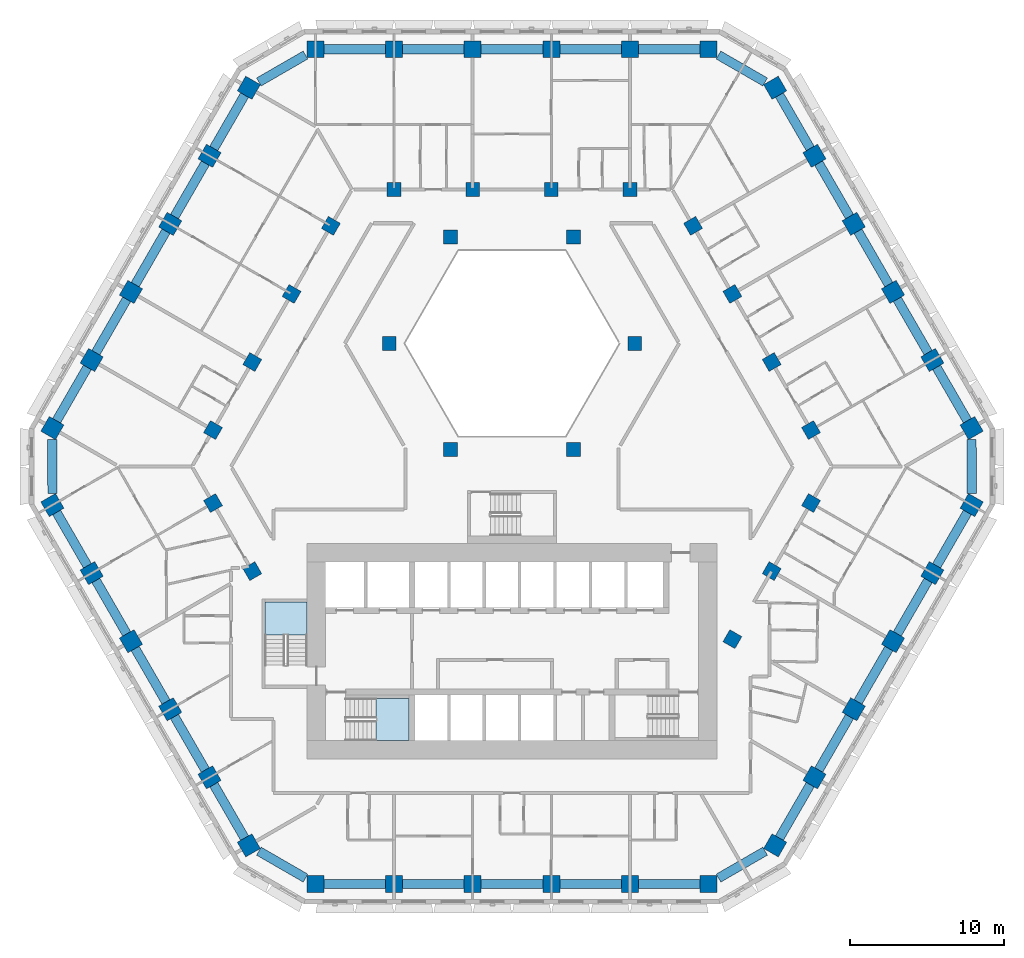
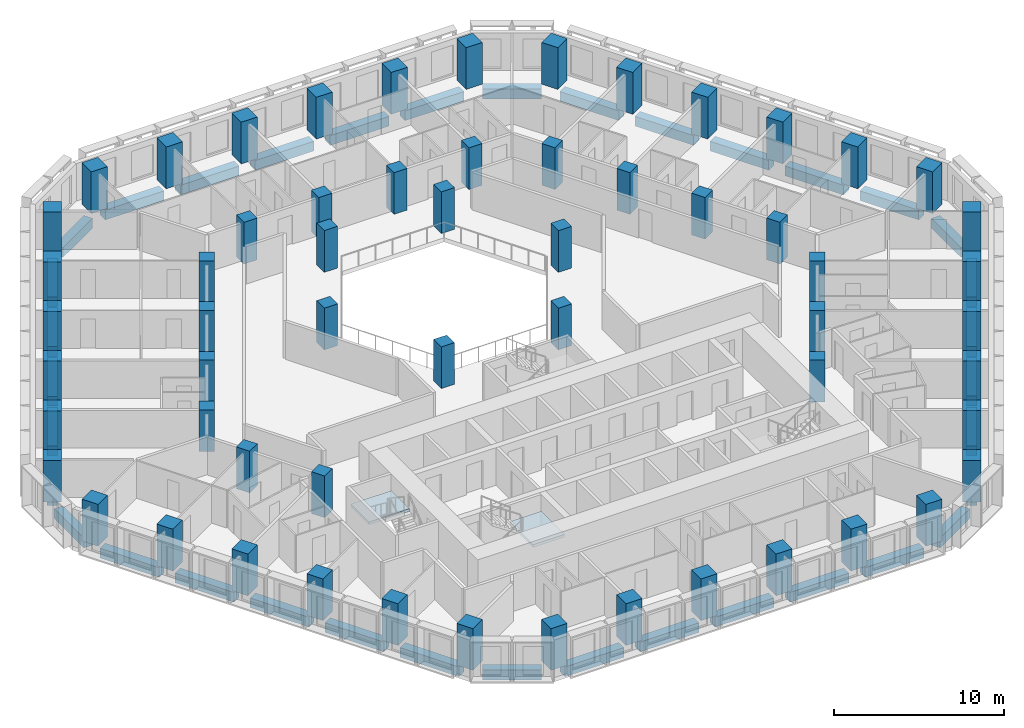
# One storey, part 1 of 21: 59 columns, 36 beams, 2 slabs, 2 elements without a shape of their own.
"""IFC4 building model written with IfcOpenShell, lengths in metres."""

from ifc_helpers import new_model, si_unit, direction, frame, origin, origin_2d, place, context, subcontext, project, spatial, polyline, rectangle, outline, extrude, material, layer, layer_set, material_profile, profile_set, type_object, element, aggregate, save


model = new_model("IFC4")

# Units and contexts
model_context = context("Model", 3, precision=1e-05, world=origin(), true_north=direction((0.0, 1.0)))
body_context = subcontext(model_context, "Body", "Model", "MODEL_VIEW")
ifc_project = project(units=[si_unit("LENGTHUNIT", "METRE"), si_unit("AREAUNIT", "SQUARE_METRE"), si_unit("VOLUMEUNIT", "CUBIC_METRE"), si_unit("PLANEANGLEUNIT", "RADIAN"), si_unit("MASSUNIT", "GRAM", prefix="KILO")], contexts=[model_context])

# Site, building, storey
site_placement = place(None, origin())
site = spatial("IfcSite", under=ifc_project, at=site_placement, CompositionType="ELEMENT")
building_placement = place(site_placement, origin())
building = spatial("IfcBuilding", under=site, at=building_placement, Name="Beryl Residences", CompositionType="ELEMENT")
storey_placement = place(building_placement, frame((0.0, 0.0, 53.39990234375)))
storey = spatial("IfcBuildingStorey", under=building, at=storey_placement, Name="L16", CompositionType="ELEMENT", Elevation=53.39990234375)

# Columns
ifc_material_1 = material(Name="Concrete C80/95", Category="concrete")
ifc_material_profile_1 = material_profile(ifc_material_1, rectangle(XDim=1.10009765625, YDim=1.10009765625, at=origin_2d()))
ifc_profile_set_1 = profile_set([ifc_material_profile_1], Name="Concrete C80/95")
column_type_1 = type_object("IfcColumnType", Name="C1 tube column 1100 x 1100 C80/95", PredefinedType="COLUMN", material=ifc_profile_set_1)
for number, where, z_axis, x_axis, name in (
    (1, (12.759033203125, 27.10009765625, 0.0), (0.0, 0.0, 1.0), (-1.0, 0.0, 0.0), "C1-N1 L16"),
    (2, (7.655029296875, 27.10009765625, 0.0), (0.0, 0.0, 1.0), (-1.0, 0.0, 0.0), "C1-N2 L16"),
    (3, (2.551025390625, 27.10009765625, 0.0), (0.0, 0.0, 1.0), (-1.0, 0.0, 0.0), "C1-N3 L16"),
    (4, (-2.552978515625, 27.10009765625, 0.0), (0.0, 0.0, 1.0), (-1.0, 0.0, 0.0), "C1-N4 L16"),
    (5, (-7.656982421875, 27.10009765625, 0.0), (0.0, 0.0, 1.0), (-1.0, 0.0, 0.0), "C1-N5 L16"),
    (6, (-12.760986328125, 27.10009765625, 0.0), (0.0, 0.0, 1.0), (-1.0, 0.0, 0.0), "C1-N6 L16"),
    (7, (-17.090087890625, 24.60009765625, 0.0), (0.0, 0.0, 1.0), (-0.499984884929, -0.866034130299, 0.0), "C1-NW1 L16"),
    (8, (-19.64208984375, 20.179931640625, 0.0), (0.0, 0.0, 1.0), (-0.499984884929, -0.866034130299, 0.0), "C1-NW2 L16"),
    (9, (-22.194091796875, 15.759033203125, 0.0), (0.0, 0.0, 1.0), (-0.499984884929, -0.866034130299, 0.0), "C1-NW3 L16"),
    (10, (-24.74609375, 11.339111328125, 0.0), (0.0, 0.0, 1.0), (-0.499984884929, -0.866034130299, 0.0), "C1-NW4 L16"),
    (11, (-27.298095703125, 6.9189453125, 0.0), (0.0, 0.0, 1.0), (-0.499984884929, -0.866034130299, 0.0), "C1-NW5 L16"),
    (12, (-29.84912109375, 2.4990234375, 0.0), (0.0, 0.0, 1.0), (-0.499984884929, -0.866034130299, 0.0), "C1-NW6 L16"),
    (13, (-29.847900390625, -2.5, 0.0), (0.0, 0.0, 1.0), (0.499984884929, -0.866034130299, 0.0), "C1-SW1 L16"),
    (14, (-27.297119140625, -6.9208984375, 0.0), (0.0, 0.0, 1.0), (0.499984884929, -0.866034130299, 0.0), "C1-SW2 L16"),
    (15, (-24.7451171875, -11.341064453125, 0.0), (0.0, 0.0, 1.0), (0.499984884929, -0.866034130299, 0.0), "C1-SW3 L16"),
    (16, (-22.193115234375, -15.760986328125, 0.0), (0.0, 0.0, 1.0), (0.499984884929, -0.866034130299, 0.0), "C1-SW4 L16"),
    (17, (-19.64111328125, -20.180908203125, 0.0), (0.0, 0.0, 1.0), (0.499984884929, -0.866034130299, 0.0), "C1-SW5 L16"),
    (18, (-17.089111328125, -24.60107421875, 0.0), (0.0, 0.0, 1.0), (0.499984884929, -0.866034130299, 0.0), "C1-SW6 L16"),
    (19, (-12.759033203125, -27.10009765625, 0.0), (0.0, 0.0, 1.0), (1.0, 0.0, 0.0), "C1-S1 L16"),
    (20, (-7.655029296875, -27.10009765625, 0.0), (0.0, 0.0, 1.0), (1.0, 0.0, 0.0), "C1-S2 L16"),
    (21, (-2.551025390625, -27.10009765625, 0.0), (0.0, 0.0, 1.0), (1.0, 0.0, 0.0), "C1-S3 L16"),
    (22, (2.552978515625, -27.10009765625, 0.0), (0.0, 0.0, 1.0), (1.0, 0.0, 0.0), "C1-S4 L16"),
    (23, (7.656982421875, -27.10009765625, 0.0), (0.0, 0.0, 1.0), (1.0, 0.0, 0.0), "C1-S5 L16"),
    (24, (12.760986328125, -27.10009765625, 0.0), (0.0, 0.0, 1.0), (1.0, 0.0, 0.0), "C1-S6 L16"),
    (25, (17.090087890625, -24.60009765625, 0.0), (0.0, 0.0, 1.0), (0.499984884929, 0.866034130299, 0.0), "C1-SE1 L16"),
    (26, (19.64208984375, -20.179931640625, 0.0), (0.0, 0.0, 1.0), (0.499984884929, 0.866034130299, 0.0), "C1-SE2 L16"),
    (27, (22.194091796875, -15.759033203125, 0.0), (0.0, 0.0, 1.0), (0.499984884929, 0.866034130299, 0.0), "C1-SE3 L16"),
    (28, (24.74609375, -11.339111328125, 0.0), (0.0, 0.0, 1.0), (0.499984884929, 0.866034130299, 0.0), "C1-SE4 L16"),
    (29, (27.298095703125, -6.9189453125, 0.0), (0.0, 0.0, 1.0), (0.499984884929, 0.866034130299, 0.0), "C1-SE5 L16"),
    (30, (29.84912109375, -2.4990234375, 0.0), (0.0, 0.0, 1.0), (0.499984884929, 0.866034130299, 0.0), "C1-SE6 L16"),
    (31, (29.847900390625, 2.5, 0.0), (0.0, 0.0, 1.0), (-0.499984884929, 0.866034130299, 0.0), "C1-NE1 L16"),
    (32, (27.297119140625, 6.9208984375, 0.0), (0.0, 0.0, 1.0), (-0.499984884929, 0.866034130299, 0.0), "C1-NE2 L16"),
    (33, (24.7451171875, 11.341064453125, 0.0), (0.0, 0.0, 1.0), (-0.499984884929, 0.866034130299, 0.0), "C1-NE3 L16"),
    (34, (22.193115234375, 15.760986328125, 0.0), (0.0, 0.0, 1.0), (-0.499984884929, 0.866034130299, 0.0), "C1-NE4 L16"),
    (35, (19.64111328125, 20.180908203125, 0.0), (0.0, 0.0, 1.0), (-0.499984884929, 0.866034130299, 0.0), "C1-NE5 L16"),
    (36, (17.089111328125, 24.60107421875, 0.0), (0.0, 0.0, 1.0), (-0.499984884929, 0.866034130299, 0.0), "C1-NE6 L16"),
):
    element("IfcColumn", number, at=place(storey_placement, frame(where, z_axis=z_axis, x_axis=x_axis)), inside=storey, type_object=column_type_1, Name=name, PredefinedType="COLUMN", context=body_context, shape_type="SweptSolid", body=[
        extrude(rectangle(XDim=1.10009765625, YDim=1.10009765625, at=origin_2d()), origin(), (0.0, 0.0, 1.0), 3.0),
    ])
ifc_material_2 = material(Name="Concrete C80/95", Category="concrete")
ifc_material_profile_2 = material_profile(ifc_material_2, rectangle(XDim=0.89990234375, YDim=0.89990234375, at=origin_2d()))
ifc_profile_set_2 = profile_set([ifc_material_profile_2], Name="Concrete C80/95")
column_type_2 = type_object("IfcColumnType", Name="IC1 interior column 900 x 900 C80/95", PredefinedType="COLUMN", material=ifc_profile_set_2)
for number, where, z_axis, x_axis, name in (
    (37, (-19.416015625, -2.37109375, 0.0), (0.0, 0.0, 1.0), (0.499984884929, -0.866034130299, 0.0), "IC1-M01 L16"),
    (38, (-16.864013671875, -6.791015625, 0.0), (0.0, 0.0, 1.0), (0.499984884929, -0.866034130299, 0.0), "IC1-M02 L16"),
    (39, (14.31298828125, -11.208984375, 0.0), (0.0, 0.0, 1.0), (0.499984884929, 0.866034130299, 0.0), "IC1-M03 L16"),
    (40, (16.864990234375, -6.7890625, 0.0), (0.0, 0.0, 1.0), (0.499984884929, 0.866034130299, 0.0), "IC1-M04 L16"),
    (41, (19.4169921875, -2.368896484375, 0.0), (0.0, 0.0, 1.0), (0.499984884929, 0.866034130299, 0.0), "IC1-M05 L16"),
    (42, (19.416015625, 2.37109375, 0.0), (0.0, 0.0, 1.0), (-0.499984884929, 0.866034130299, 0.0), "IC1-M06 L16"),
    (43, (3.98388671875, 1.10009765625, 0.0), (0.0, 0.0, 1.0), (1.0, 0.0, 0.0), "IC1-A07 L16"),
    (44, (16.864013671875, 6.791015625, 0.0), (0.0, 0.0, 1.0), (-0.499984884929, 0.866034130299, 0.0), "IC1-M08 L16"),
    (45, (14.31201171875, 11.2109375, 0.0), (0.0, 0.0, 1.0), (-0.499984884929, 0.866034130299, 0.0), "IC1-M09 L16"),
    (46, (7.967041015625, 8.0, 0.0), (0.0, 0.0, 1.0), (1.0, 0.0, 0.0), "IC1-A10 L16"),
    (47, (11.760009765625, 15.631103515625, 0.0), (0.0, 0.0, 1.0), (-0.499984884929, 0.866034130299, 0.0), "IC1-M11 L16"),
    (48, (7.655029296875, 18.0, 0.0), (0.0, 0.0, 1.0), (-1.0, 0.0, 0.0), "IC1-M12 L16"),
    (49, (3.98388671875, 14.89990234375, 0.0), (0.0, 0.0, 1.0), (1.0, 0.0, 0.0), "IC1-A13 L16"),
    (50, (2.551025390625, 18.0, 0.0), (0.0, 0.0, 1.0), (-1.0, 0.0, 0.0), "IC1-M14 L16"),
    (51, (-2.552978515625, 18.0, 0.0), (0.0, 0.0, 1.0), (-1.0, 0.0, 0.0), "IC1-M15 L16"),
    (52, (-3.98388671875, 14.89990234375, 0.0), (0.0, 0.0, 1.0), (1.0, 0.0, 0.0), "IC1-A16 L16"),
    (53, (-7.656982421875, 18.0, 0.0), (0.0, 0.0, 1.0), (-1.0, 0.0, 0.0), "IC1-M17 L16"),
    (54, (-11.760986328125, 15.6298828125, 0.0), (0.0, 0.0, 1.0), (-0.499984884929, -0.866034130299, 0.0), "IC1-M18 L16"),
    (55, (-7.967041015625, 8.0, 0.0), (0.0, 0.0, 1.0), (1.0, 0.0, 0.0), "IC1-A19 L16"),
    (56, (-14.31298828125, 11.208984375, 0.0), (0.0, 0.0, 1.0), (-0.499984884929, -0.866034130299, 0.0), "IC1-M20 L16"),
    (57, (-16.864990234375, 6.7890625, 0.0), (0.0, 0.0, 1.0), (-0.499984884929, -0.866034130299, 0.0), "IC1-M21 L16"),
    (58, (-3.98388671875, 1.10009765625, 0.0), (0.0, 0.0, 1.0), (1.0, 0.0, 0.0), "IC1-A22 L16"),
    (59, (-19.4169921875, 2.368896484375, 0.0), (0.0, 0.0, 1.0), (-0.499984884929, -0.866034130299, 0.0), "IC1-M23 L16"),
):
    element("IfcColumn", number, at=place(storey_placement, frame(where, z_axis=z_axis, x_axis=x_axis)), inside=storey, type_object=column_type_2, Name=name, PredefinedType="COLUMN", context=body_context, shape_type="SweptSolid", body=[
        extrude(rectangle(XDim=0.89990234375, YDim=0.89990234375, at=origin_2d()), origin(), (0.0, 0.0, 1.0), 3.0),
    ])

# Beams
ifc_material_3 = material(Name="Concrete C80/95", Category="concrete")
ifc_material_profile_3 = material_profile(ifc_material_3, rectangle(XDim=0.60009765625, YDim=0.699951171875, at=origin_2d()))
ifc_profile_set_3 = profile_set([ifc_material_profile_3], Name="Concrete C80/95")
beam_type = type_object("IfcBeamType", Name="SB1 spandrel beam 600 x 700 C80/95", PredefinedType="SPANDREL", material=ifc_profile_set_3)
for number, where, z_axis, x_axis, name in (
    (60, (12.208984375, 27.10009765625, -0.64990234375), (-1.0, 0.0, 0.0), (0.0, -1.0, 0.0), "SB1 L16 N-0"),
    (61, (7.10498046875, 27.10009765625, -0.64990234375), (-1.0, 0.0, 0.0), (0.0, -1.0, 0.0), "SB1 L16 N-1"),
    (62, (2.0009765625, 27.10009765625, -0.64990234375), (-1.0, 0.0, 0.0), (0.0, -1.0, 0.0), "SB1 L16 N-2"),
    (63, (-3.10302734375, 27.10009765625, -0.64990234375), (-1.0, 0.0, 0.0), (0.0, -1.0, 0.0), "SB1 L16 N-3"),
    (64, (-8.20703125, 27.10009765625, -0.64990234375), (-1.0, 0.0, 0.0), (0.0, -1.0, 0.0), "SB1 L16 N-4"),
):
    element("IfcBeam", number, at=place(storey_placement, frame(where, z_axis=z_axis, x_axis=x_axis)), inside=storey, type_object=beam_type, Name=name, PredefinedType="SPANDREL", context=body_context, shape_type="SweptSolid", body=[
        extrude(rectangle(XDim=0.60009765625, YDim=0.699951171875, at=origin_2d()), origin(), (0.0, 0.0, 1.0), 4.00390625),
    ])
beam_1_placement = place(storey_placement, frame((-13.410888671875, 26.72412109375, -0.64990234375), z_axis=(-0.866121658299, -0.499833245218, 0.0), x_axis=(0.499833245218, -0.866121658299, 0.0)))
element("IfcBeam", 65, at=beam_1_placement, inside=storey, type_object=beam_type, Name="SB1 L16 N-5", PredefinedType="SPANDREL", context=body_context, shape_type="SweptSolid", body=[
    extrude(rectangle(XDim=0.60009765625, YDim=0.699951171875, at=origin_2d()), origin(), (0.0, 0.0, 1.0), 3.497314453125),
])
beam_2_placement = place(storey_placement, frame((-17.364990234375, 24.1240234375, -0.64990234375), z_axis=(-0.499942357345, -0.866058681229, 0.0), x_axis=(0.866058681229, -0.499942357345, 0.0)))
element("IfcBeam", 66, at=beam_2_placement, inside=storey, type_object=beam_type, Name="SB1 L16 NW-0", PredefinedType="SPANDREL", context=body_context, shape_type="SweptSolid", body=[
    extrude(rectangle(XDim=0.60009765625, YDim=0.699951171875, at=origin_2d()), origin(), (0.0, 0.0, 1.0), 4.00439453125),
])
beam_3_placement = place(storey_placement, frame((-19.9169921875, 19.7041015625, -0.64990234375), z_axis=(-0.499836783367, -0.866119616446, 0.0), x_axis=(0.866119616446, -0.499836783367, 0.0)))
element("IfcBeam", 67, at=beam_3_placement, inside=storey, type_object=beam_type, Name="SB1 L16 NW-1", PredefinedType="SPANDREL", context=body_context, shape_type="SweptSolid", body=[
    extrude(rectangle(XDim=0.60009765625, YDim=0.699951171875, at=origin_2d()), origin(), (0.0, 0.0, 1.0), 4.005126953125),
])
for number, where, z_axis, x_axis, name in (
    (68, (-22.468994140625, 15.282958984375, -0.64990234375), (-0.499942357345, -0.866058681229, 0.0), (0.866058681229, -0.499942357345, 0.0), "SB1 L16 NW-2"),
    (69, (-25.02099609375, 10.863037109375, -0.64990234375), (-0.499942357345, -0.866058681229, 0.0), (0.866058681229, -0.499942357345, 0.0), "SB1 L16 NW-3"),
):
    element("IfcBeam", number, at=place(storey_placement, frame(where, z_axis=z_axis, x_axis=x_axis)), inside=storey, type_object=beam_type, Name=name, PredefinedType="SPANDREL", context=body_context, shape_type="SweptSolid", body=[
        extrude(rectangle(XDim=0.60009765625, YDim=0.699951171875, at=origin_2d()), origin(), (0.0, 0.0, 1.0), 4.00439453125),
    ])
beam_4_placement = place(storey_placement, frame((-27.572998046875, 6.443115234375, -0.64990234375), z_axis=(-0.499759404093, -0.866164267342, 0.0), x_axis=(0.866164267342, -0.499759404093, 0.0)))
element("IfcBeam", 70, at=beam_4_placement, inside=storey, type_object=beam_type, Name="SB1 L16 NW-4", PredefinedType="SPANDREL", context=body_context, shape_type="SweptSolid", body=[
    extrude(rectangle(XDim=0.60009765625, YDim=0.699951171875, at=origin_2d()), origin(), (0.0, 0.0, 1.0), 4.00390625),
])
beam_5_placement = place(storey_placement, frame((-29.84912109375, 1.748046875, -0.64990234375), z_axis=(0.000349064486, -0.999999939077, 0.0), x_axis=(0.999999939077, 0.000349064486, 0.0)))
element("IfcBeam", 71, at=beam_5_placement, inside=storey, type_object=beam_type, Name="SB1 L16 NW-5", PredefinedType="SPANDREL", context=body_context, shape_type="SweptSolid", body=[
    extrude(rectangle(XDim=0.60009765625, YDim=0.699951171875, at=origin_2d()), origin(), (0.0, 0.0, 1.0), 3.4970703125),
])
beam_6_placement = place(storey_placement, frame((-29.572998046875, -2.97607421875, -0.64990234375), z_axis=(0.499653843024, -0.866225165388, 0.0), x_axis=(0.866225165388, 0.499653843024, 0.0)))
element("IfcBeam", 72, at=beam_6_placement, inside=storey, type_object=beam_type, Name="SB1 L16 SW-0", PredefinedType="SPANDREL", context=body_context, shape_type="SweptSolid", body=[
    extrude(rectangle(XDim=0.60009765625, YDim=0.699951171875, at=origin_2d()), origin(), (0.0, 0.0, 1.0), 4.004638671875),
])
for number, where, z_axis, x_axis, name in (
    (73, (-27.02197265625, -7.39697265625, -0.64990234375), (0.499942357345, -0.866058681229, 0.0), (0.866058681229, 0.499942357345, 0.0), "SB1 L16 SW-1"),
    (74, (-24.469970703125, -11.81689453125, -0.64990234375), (0.499942357345, -0.866058681229, 0.0), (0.866058681229, 0.499942357345, 0.0), "SB1 L16 SW-2"),
    (75, (-21.91796875, -16.237060546875, -0.64990234375), (0.499942357345, -0.866058681229, 0.0), (0.866058681229, 0.499942357345, 0.0), "SB1 L16 SW-3"),
    (76, (-19.365966796875, -20.656982421875, -0.64990234375), (0.499942357345, -0.866058681229, 0.0), (0.866058681229, 0.499942357345, 0.0), "SB1 L16 SW-4"),
):
    element("IfcBeam", number, at=place(storey_placement, frame(where, z_axis=z_axis, x_axis=x_axis)), inside=storey, type_object=beam_type, Name=name, PredefinedType="SPANDREL", context=body_context, shape_type="SweptSolid", body=[
        extrude(rectangle(XDim=0.60009765625, YDim=0.699951171875, at=origin_2d()), origin(), (0.0, 0.0, 1.0), 4.00439453125),
    ])
beam_7_placement = place(storey_placement, frame((-16.43896484375, -24.97607421875, -0.64990234375), z_axis=(0.866070549782, -0.499921796684, 0.0), x_axis=(0.499921796684, 0.866070549782, 0.0)))
element("IfcBeam", 77, at=beam_7_placement, inside=storey, type_object=beam_type, Name="SB1 L16 SW-5", PredefinedType="SPANDREL", context=body_context, shape_type="SweptSolid", body=[
    extrude(rectangle(XDim=0.60009765625, YDim=0.699951171875, at=origin_2d()), origin(), (0.0, 0.0, 1.0), 3.49853515625),
])
for number, where, z_axis, x_axis, name in (
    (78, (-12.208984375, -27.10009765625, -0.64990234375), (1.0, 0.0, 0.0), (0.0, 1.0, 0.0), "SB1 L16 S-0"),
    (79, (-7.10498046875, -27.10009765625, -0.64990234375), (1.0, 0.0, 0.0), (0.0, 1.0, 0.0), "SB1 L16 S-1"),
    (80, (-2.0009765625, -27.10009765625, -0.64990234375), (1.0, 0.0, 0.0), (0.0, 1.0, 0.0), "SB1 L16 S-2"),
    (81, (3.10302734375, -27.10009765625, -0.64990234375), (1.0, 0.0, 0.0), (0.0, 1.0, 0.0), "SB1 L16 S-3"),
    (82, (8.20703125, -27.10009765625, -0.64990234375), (1.0, 0.0, 0.0), (0.0, 1.0, 0.0), "SB1 L16 S-4"),
):
    element("IfcBeam", number, at=place(storey_placement, frame(where, z_axis=z_axis, x_axis=x_axis)), inside=storey, type_object=beam_type, Name=name, PredefinedType="SPANDREL", context=body_context, shape_type="SweptSolid", body=[
        extrude(rectangle(XDim=0.60009765625, YDim=0.699951171875, at=origin_2d()), origin(), (0.0, 0.0, 1.0), 4.00390625),
    ])
beam_8_placement = place(storey_placement, frame((13.410888671875, -26.72412109375, -0.64990234375), z_axis=(0.866121658299, 0.499833245218, 0.0), x_axis=(-0.499833245218, 0.866121658299, 0.0)))
element("IfcBeam", 83, at=beam_8_placement, inside=storey, type_object=beam_type, Name="SB1 L16 S-5", PredefinedType="SPANDREL", context=body_context, shape_type="SweptSolid", body=[
    extrude(rectangle(XDim=0.60009765625, YDim=0.699951171875, at=origin_2d()), origin(), (0.0, 0.0, 1.0), 3.497314453125),
])
beam_9_placement = place(storey_placement, frame((17.364990234375, -24.1240234375, -0.64990234375), z_axis=(0.499942357345, 0.866058681229, 0.0), x_axis=(-0.866058681229, 0.499942357345, 0.0)))
element("IfcBeam", 84, at=beam_9_placement, inside=storey, type_object=beam_type, Name="SB1 L16 SE-0", PredefinedType="SPANDREL", context=body_context, shape_type="SweptSolid", body=[
    extrude(rectangle(XDim=0.60009765625, YDim=0.699951171875, at=origin_2d()), origin(), (0.0, 0.0, 1.0), 4.00439453125),
])
beam_10_placement = place(storey_placement, frame((19.9169921875, -19.7041015625, -0.64990234375), z_axis=(0.499836783367, 0.866119616446, 0.0), x_axis=(-0.866119616446, 0.499836783367, 0.0)))
element("IfcBeam", 85, at=beam_10_placement, inside=storey, type_object=beam_type, Name="SB1 L16 SE-1", PredefinedType="SPANDREL", context=body_context, shape_type="SweptSolid", body=[
    extrude(rectangle(XDim=0.60009765625, YDim=0.699951171875, at=origin_2d()), origin(), (0.0, 0.0, 1.0), 4.005126953125),
])
for number, where, z_axis, x_axis, name in (
    (86, (22.468994140625, -15.282958984375, -0.64990234375), (0.499942357345, 0.866058681229, 0.0), (-0.866058681229, 0.499942357345, 0.0), "SB1 L16 SE-2"),
    (87, (25.02099609375, -10.863037109375, -0.64990234375), (0.499942357345, 0.866058681229, 0.0), (-0.866058681229, 0.499942357345, 0.0), "SB1 L16 SE-3"),
):
    element("IfcBeam", number, at=place(storey_placement, frame(where, z_axis=z_axis, x_axis=x_axis)), inside=storey, type_object=beam_type, Name=name, PredefinedType="SPANDREL", context=body_context, shape_type="SweptSolid", body=[
        extrude(rectangle(XDim=0.60009765625, YDim=0.699951171875, at=origin_2d()), origin(), (0.0, 0.0, 1.0), 4.00439453125),
    ])
beam_11_placement = place(storey_placement, frame((27.572998046875, -6.443115234375, -0.64990234375), z_axis=(0.499759404093, 0.866164267342, 0.0), x_axis=(-0.866164267342, 0.499759404093, 0.0)))
element("IfcBeam", 88, at=beam_11_placement, inside=storey, type_object=beam_type, Name="SB1 L16 SE-4", PredefinedType="SPANDREL", context=body_context, shape_type="SweptSolid", body=[
    extrude(rectangle(XDim=0.60009765625, YDim=0.699951171875, at=origin_2d()), origin(), (0.0, 0.0, 1.0), 4.00390625),
])
beam_12_placement = place(storey_placement, frame((29.84912109375, -1.748046875, -0.64990234375), z_axis=(-0.000349064486, 0.999999939077, 0.0), x_axis=(-0.999999939077, -0.000349064486, 0.0)))
element("IfcBeam", 89, at=beam_12_placement, inside=storey, type_object=beam_type, Name="SB1 L16 SE-5", PredefinedType="SPANDREL", context=body_context, shape_type="SweptSolid", body=[
    extrude(rectangle(XDim=0.60009765625, YDim=0.699951171875, at=origin_2d()), origin(), (0.0, 0.0, 1.0), 3.4970703125),
])
beam_13_placement = place(storey_placement, frame((29.572998046875, 2.97607421875, -0.64990234375), z_axis=(-0.499653843024, 0.866225165388, 0.0), x_axis=(-0.866225165388, -0.499653843024, 0.0)))
element("IfcBeam", 90, at=beam_13_placement, inside=storey, type_object=beam_type, Name="SB1 L16 NE-0", PredefinedType="SPANDREL", context=body_context, shape_type="SweptSolid", body=[
    extrude(rectangle(XDim=0.60009765625, YDim=0.699951171875, at=origin_2d()), origin(), (0.0, 0.0, 1.0), 4.004638671875),
])
for number, where, z_axis, x_axis, name in (
    (91, (27.02197265625, 7.39697265625, -0.64990234375), (-0.499942357345, 0.866058681229, 0.0), (-0.866058681229, -0.499942357345, 0.0), "SB1 L16 NE-1"),
    (92, (24.469970703125, 11.81689453125, -0.64990234375), (-0.499942357345, 0.866058681229, 0.0), (-0.866058681229, -0.499942357345, 0.0), "SB1 L16 NE-2"),
    (93, (21.91796875, 16.237060546875, -0.64990234375), (-0.499942357345, 0.866058681229, 0.0), (-0.866058681229, -0.499942357345, 0.0), "SB1 L16 NE-3"),
    (94, (19.365966796875, 20.656982421875, -0.64990234375), (-0.499942357345, 0.866058681229, 0.0), (-0.866058681229, -0.499942357345, 0.0), "SB1 L16 NE-4"),
):
    element("IfcBeam", number, at=place(storey_placement, frame(where, z_axis=z_axis, x_axis=x_axis)), inside=storey, type_object=beam_type, Name=name, PredefinedType="SPANDREL", context=body_context, shape_type="SweptSolid", body=[
        extrude(rectangle(XDim=0.60009765625, YDim=0.699951171875, at=origin_2d()), origin(), (0.0, 0.0, 1.0), 4.00439453125),
    ])
beam_14_placement = place(storey_placement, frame((16.43896484375, 24.97607421875, -0.64990234375), z_axis=(-0.866070549782, 0.499921796684, 0.0), x_axis=(-0.499921796684, -0.866070549782, 0.0)))
element("IfcBeam", 95, at=beam_14_placement, inside=storey, type_object=beam_type, Name="SB1 L16 NE-5", PredefinedType="SPANDREL", context=body_context, shape_type="SweptSolid", body=[
    extrude(rectangle(XDim=0.60009765625, YDim=0.699951171875, at=origin_2d()), origin(), (0.0, 0.0, 1.0), 3.49853515625),
])

# Stair, slab
ifc_material_4 = material(Name="Concrete C40/50", Category="concrete")
stair_type = type_object("IfcStairType", Name="ST1 protected exit stair, half-turn, 1300 mm flights", PredefinedType="HALF_TURN_STAIR", material=ifc_material_4)
stair_1_placement = place(storey_placement, origin())
stair_1 = element("IfcStair", 96, at=stair_1_placement, inside=storey, type_object=stair_type, Name="L16 PROTECTED EXIT STAIR ST-1", PredefinedType="HALF_TURN_STAIR")
ifc_material_5 = material(Name="Concrete C40/50", Category="concrete")
ifc_layer = layer(ifc_material_5, 0.199951171875)
ifc_layer_set = layer_set([ifc_layer], Name="SLD1 stair landing 200 mm")
slab_type = type_object("IfcSlabType", Name="SLD1 stair landing 200 mm", PredefinedType="LANDING", material=ifc_layer_set)
slab_1_placement = place(storey_placement, frame((0.0, 0.0, 1.300048828125)))
slab_1 = element("IfcSlab", 97, at=slab_1_placement, type_object=slab_type, Name="ST-1 landing 1", PredefinedType="LANDING", context=body_context, shape_type="SweptSolid", body=[
    extrude(outline(polyline([(-8.840087890625, -17.800048828125), (-6.699951171875, -17.800048828125), (-6.699951171875, -15.050048828125), (-8.840087890625, -15.050048828125), (-8.840087890625, -17.800048828125)])), origin(), (0.0, 0.0, 1.0), 0.199951171875),
])
aggregate(stair_1, [slab_1])

stair_2_placement = place(storey_placement, origin())
stair_2 = element("IfcStair", 98, at=stair_2_placement, inside=storey, type_object=stair_type, Name="L16 PROTECTED EXIT STAIR ST-2", PredefinedType="HALF_TURN_STAIR")
slab_2_placement = place(storey_placement, frame((0.0, 0.0, 1.300048828125)))
slab_2 = element("IfcSlab", 99, at=slab_2_placement, type_object=slab_type, Name="ST-2 landing 1", PredefinedType="LANDING", context=body_context, shape_type="SweptSolid", body=[
    extrude(outline(polyline([(-13.300048828125, -10.93994140625), (-13.300048828125, -8.800048828125), (-16.050048828125, -8.800048828125), (-16.050048828125, -10.93994140625), (-13.300048828125, -10.93994140625)])), origin(), (0.0, 0.0, 1.0), 0.199951171875),
])
aggregate(stair_2, [slab_2])

save(model, "model.ifc")
